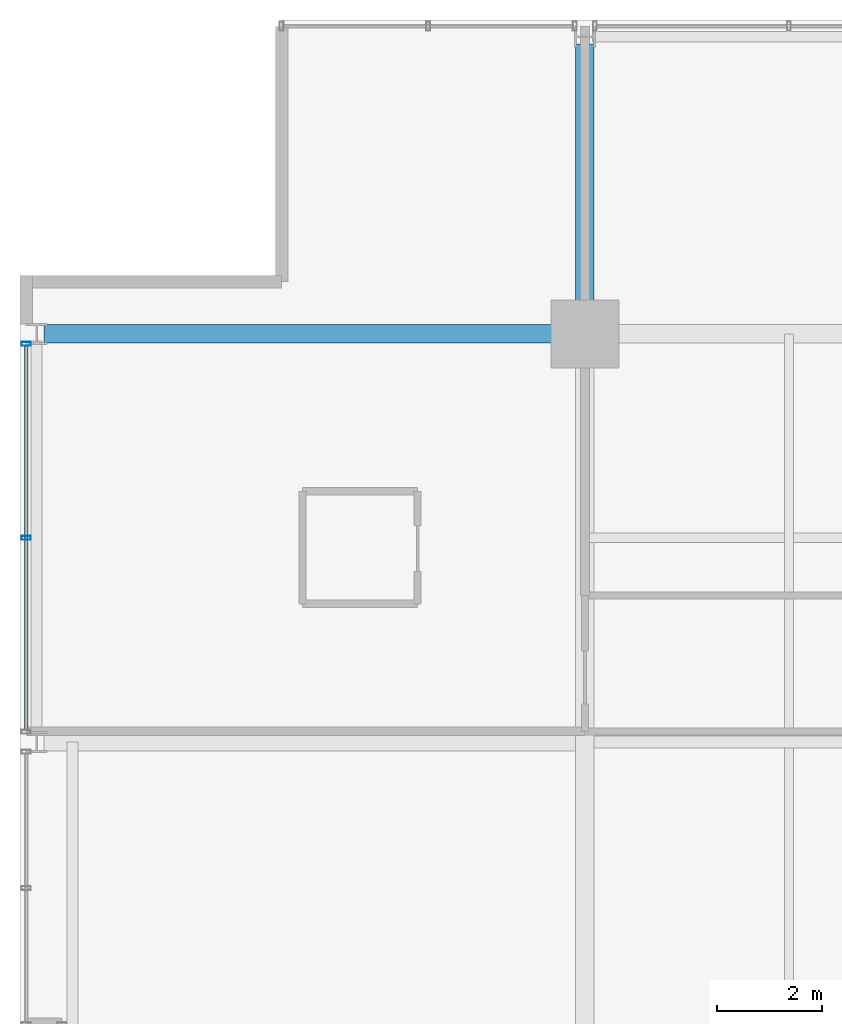
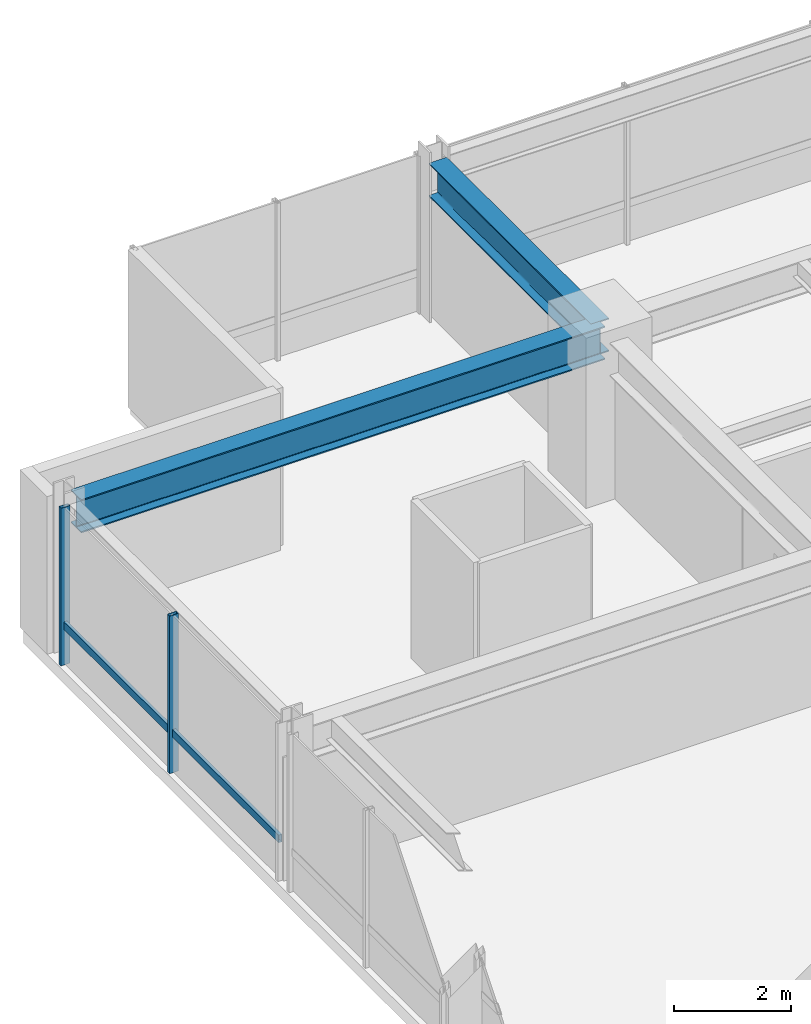
# One storey, part 18 of 32: 3 members, 2 beams, 1 element without a shape of its own.
"""IFC4 building model written with IfcOpenShell, lengths in metres."""

from ifc_helpers import new_model, si_unit, direction, frame, origin, origin_2d, place, context, subcontext, project, spatial, hollow_rectangle, i_section, extrude, material, layer, layer_set, material_profile, profile_set, type_object, element, aggregate, save


model = new_model("IFC4")

# Units and contexts
model_context = context("Model", 3, precision=1e-05, world=origin(), true_north=direction((0.0, 1.0)))
body_context = subcontext(model_context, "Body", "Model", "MODEL_VIEW")
ifc_project = project(units=[si_unit("LENGTHUNIT", "METRE"), si_unit("AREAUNIT", "SQUARE_METRE"), si_unit("VOLUMEUNIT", "CUBIC_METRE"), si_unit("PLANEANGLEUNIT", "RADIAN"), si_unit("MASSUNIT", "GRAM", prefix="KILO")], contexts=[model_context])

# Site, building, storey
site_placement = place(None, origin())
site = spatial("IfcSite", under=ifc_project, at=site_placement, CompositionType="ELEMENT")
building_placement = place(site_placement, origin())
building = spatial("IfcBuilding", under=site, at=building_placement, Name="Drelvath Grand Hotel", CompositionType="ELEMENT")
storey_placement = place(building_placement, frame((0.0, 0.0, 193.0)))
storey = spatial("IfcBuildingStorey", under=building, at=storey_placement, Name="L50", CompositionType="ELEMENT", Elevation=193.0)

# Curtain wall, members
ifc_material_1 = material(Name="Brushed Pale-Silver Anodised Aluminium Frame", Category="aluminium")
ifc_layer = layer(ifc_material_1, 0.199951171875)
ifc_layer_set = layer_set([ifc_layer], Name="Brushed Pale-Silver Anodised Aluminium Frame")
curtain_wall_type = type_object("IfcCurtainWallType", Name="Stick Curtain Wall CW-04 Brushed Silver Upper-Mid", PredefinedType="NOTDEFINED", material=ifc_layer_set)
curtain_wall_placement = place(storey_placement, origin())
curtain_wall = element("IfcCurtainWall", 1, at=curtain_wall_placement, inside=storey, type_object=curtain_wall_type, Name="L50 CW-04 Curtain Wall CW04-L50-WN2", PredefinedType="NOTDEFINED")
ifc_material_profile_1 = material_profile(ifc_material_1, hollow_rectangle(XDim=0.06494140625, YDim=0.159912109375, WallThickness=0.00390625, at=origin_2d()), Name="HSS160X65X4")
ifc_profile_set_1 = profile_set([ifc_material_profile_1], Name="Brushed Pale-Silver Anodised Aluminium Frame")
member_type_1 = type_object("IfcMemberType", Name="Curtain Wall Horizontal Transom CW-04 HSS160X65X4", PredefinedType="USERDEFINED", material=ifc_profile_set_1)
member_1_placement = place(storey_placement, frame((-26.8798828125, 35.631591796875, 0.822509765625), z_axis=(0.0, 1.0, 0.0), x_axis=(-1.0, 0.0, 0.0)))
member_1 = element("IfcMember", 2, at=member_1_placement, type_object=member_type_1, Name="CW04-L50-WN2 Sill Transom", ObjectType="TRANSOM", PredefinedType="USERDEFINED", context=body_context, shape_type="SweptSolid", body=[
    extrude(hollow_rectangle(XDim=0.06494140625, YDim=0.159912109375, WallThickness=0.00390625, at=origin_2d()), origin(), (0.0, 0.0, 1.0), 7.3369140625),
])
ifc_material_profile_2 = material_profile(ifc_material_1, hollow_rectangle(XDim=0.074951171875, YDim=0.179931640625, WallThickness=0.0048828125, at=origin_2d()), Name="HSS180X75X5")
ifc_profile_set_2 = profile_set([ifc_material_profile_2], Name="Brushed Pale-Silver Anodised Aluminium Frame")
member_type_2 = type_object("IfcMemberType", Name="Curtain Wall Vertical Mullion CW-04 HSS180X75X5", PredefinedType="MULLION", material=ifc_profile_set_2)
member_2_placement = place(storey_placement, frame((-26.8798828125, 39.300048828125, 0.0), z_axis=(0.0, 0.0, 1.0), x_axis=(0.0, 1.0, 0.0)))
member_2 = element("IfcMember", 3, at=member_2_placement, type_object=member_type_2, Name="CW04-L50-WN2 Mullion 2", PredefinedType="MULLION", context=body_context, shape_type="SweptSolid", body=[
    extrude(hollow_rectangle(XDim=0.074951171875, YDim=0.179931640625, WallThickness=0.0048828125, at=origin_2d()), origin(), (0.0, 0.0, 1.0), 3.2900390625),
])
member_3_placement = place(storey_placement, frame((-26.8798828125, 43.00830078125, 0.0), z_axis=(0.0, 0.0, 1.0), x_axis=(0.0, 1.0, 0.0)))
member_3 = element("IfcMember", 4, at=member_3_placement, type_object=member_type_2, Name="CW04-L50-WN2 Mullion 3", PredefinedType="MULLION", context=body_context, shape_type="SweptSolid", body=[
    extrude(hollow_rectangle(XDim=0.074951171875, YDim=0.179931640625, WallThickness=0.0048828125, at=origin_2d()), origin(), (0.0, 0.0, 1.0), 3.2900390625),
])
aggregate(curtain_wall, [member_2, member_3, member_1])

# Beams
ifc_material_2 = material(Name="Steel ASTM A992 Gr 50", Category="steel")
ifc_material_profile_3 = material_profile(ifc_material_2, i_section(OverallWidth=0.354736328125, OverallDepth=0.695556640625, WebThickness=0.015380859375, FlangeThickness=0.025146484375, FilletRadius=0.02392578125, at=origin_2d()), Name="W27X146")
ifc_profile_set_3 = profile_set([ifc_material_profile_3], Name="Steel ASTM A992 Gr 50")
beam_type = type_object("IfcBeamType", Name="Primary Floor Girder W27X146", PredefinedType="BEAM", material=ifc_profile_set_3)
beam_1_placement = place(storey_placement, frame((-26.5400390625, 43.199951171875, 2.9423828125), z_axis=(1.0, 0.0, 0.0), x_axis=(0.0, 1.0, 0.0)))
element("IfcBeam", 5, at=beam_1_placement, inside=storey, type_object=beam_type, Name="L50 West Grid Girder G", PredefinedType="BEAM", context=body_context, shape_type="SweptSolid", body=[
    extrude(i_section(OverallWidth=0.354736328125, OverallDepth=0.695556640625, WebThickness=0.015380859375, FlangeThickness=0.025146484375, FilletRadius=0.02392578125, at=origin_2d()), origin(), (0.0, 0.0, 1.0), 10.340087890625),
])
beam_2_placement = place(storey_placement, frame((-16.199951171875, 43.199951171875, 2.9423828125), z_axis=(0.0, 1.0, 0.0), x_axis=(-1.0, 0.0, 0.0)))
element("IfcBeam", 6, at=beam_2_placement, inside=storey, type_object=beam_type, Name="L50 North Grid Girder 3", PredefinedType="BEAM", context=body_context, shape_type="SweptSolid", body=[
    extrude(i_section(OverallWidth=0.354736328125, OverallDepth=0.695556640625, WebThickness=0.015380859375, FlangeThickness=0.025146484375, FilletRadius=0.02392578125, at=origin_2d()), origin(), (0.0, 0.0, 1.0), 5.5400390625),
])

save(model, "model.ifc")
